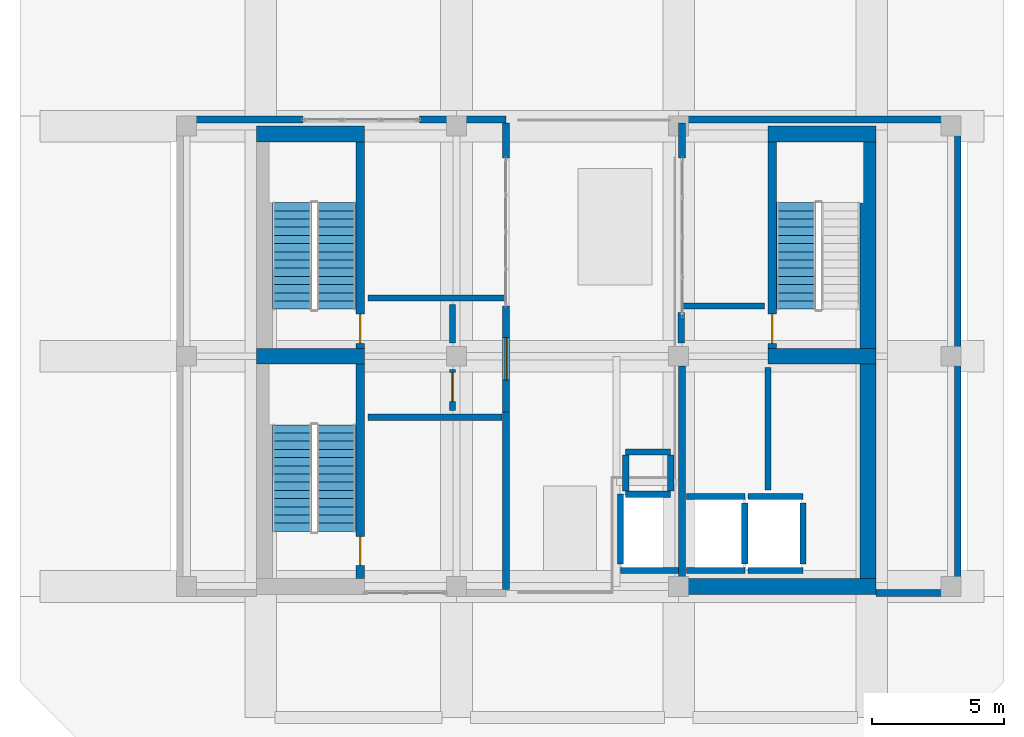
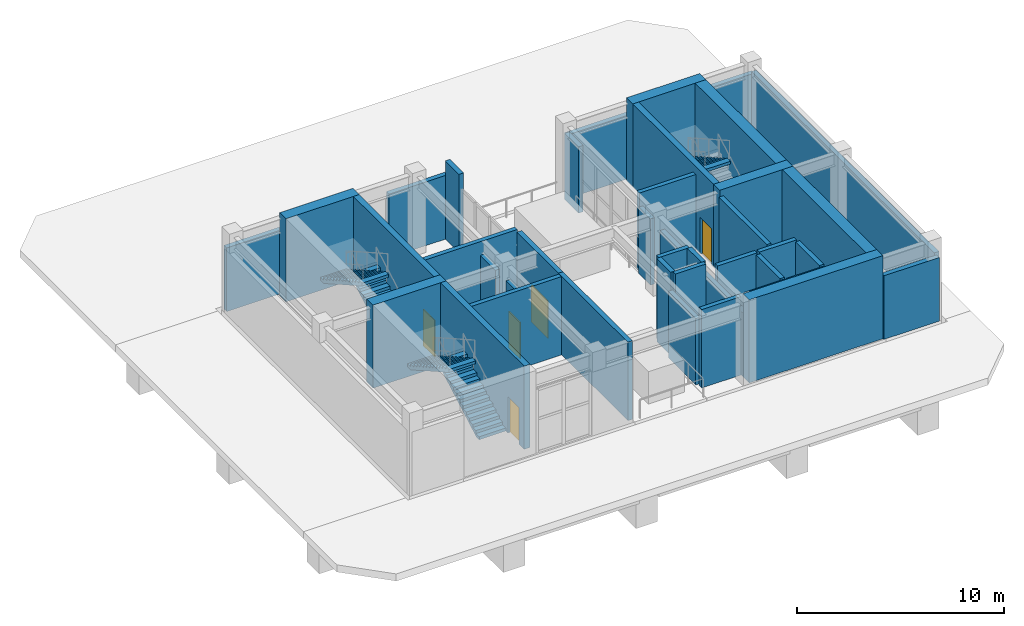
# One storey, part 13 of 16: 38 walls, 5 doors, 5 stair flights, 5 openings, 3 elements without a shape of their own.
"""IFC4 building model written with IfcOpenShell, lengths in metres."""

from ifc_helpers import new_model, si_unit, direction, frame, frame_2d, origin, place, context, subcontext, project, spatial, polyline, rectangle, outline, extrude, material, layer, layer_set, type_object, element, fill, aggregate, save


model = new_model("IFC4")

# Units and contexts
model_context = context("Model", 3, precision=1e-05, world=origin(), true_north=direction((0.0, 1.0)))
body_context = subcontext(model_context, "Body", "Model", "MODEL_VIEW")
ifc_project = project(units=[si_unit("LENGTHUNIT", "METRE"), si_unit("AREAUNIT", "SQUARE_METRE"), si_unit("VOLUMEUNIT", "CUBIC_METRE"), si_unit("PLANEANGLEUNIT", "RADIAN"), si_unit("MASSUNIT", "GRAM", prefix="KILO")], contexts=[model_context])

# Site, building, storey
site_placement = place(None, origin())
site = spatial("IfcSite", under=ifc_project, at=site_placement, CompositionType="ELEMENT")
building_placement = place(site_placement, origin())
building = spatial("IfcBuilding", under=site, at=building_placement, Name="Solanera Arch Residences", CompositionType="ELEMENT")
storey_placement = place(building_placement, frame((0.0, 0.0, 278.080078125)))
storey = spatial("IfcBuildingStorey", under=building, at=storey_placement, Name="L80", CompositionType="ELEMENT", Elevation=278.080078125)

# Wall, opening, door
ifc_material_1 = material(Name="Concrete C40/50 (f'c = 45 MPa)", Category="concrete")
ifc_layer_1 = layer(ifc_material_1, 0.320068359375)
ifc_layer_set_1 = layer_set([ifc_layer_1], Name="Concrete C40/50 (f'c = 45 MPa)")
wall_type_1 = type_object("IfcWallType", Name="Core Shear Wall CW-320", PredefinedType="SHEAR", material=ifc_layer_set_1)
wall_1_placement = place(storey_placement, frame((17.159912109375, 31.0, 0.0), z_axis=(0.0, 0.0, 1.0), x_axis=(0.0, 1.0, 0.0)))
wall_1 = element("IfcWall", 1, at=wall_1_placement, inside=storey, type_object=wall_type_1, Name="L80 Stair ST-T1 East Shear Wall", PredefinedType="SHEAR", context=body_context, shape_type="SweptSolid", body=[
    extrude(rectangle(XDim=7.800048828125, YDim=0.320068359375, at=frame_2d((3.89990234375, 0.0))), origin(), (0.0, 0.0, 1.0), 4.89990234375),
])
opening_1_placement = place(wall_1_placement, frame((0.18994140625, 0.0, 0.0)))
opening_1 = element("IfcOpeningElement", 2, at=opening_1_placement, cuts=wall_1, Name="Opening DF-01", PredefinedType="OPENING", context=body_context, shape_type="SweptSolid", body=[
    extrude(rectangle(XDim=1.10009765625, YDim=2.14990234375, at=frame_2d((0.550048828125, 1.074951171875))), frame((0.0, 0.169921875, 0.0), z_axis=(0.0, -1.0, 0.0), x_axis=(1.0, 0.0, 0.0)), (0.0, 0.0, 1.0), 0.3401),
])
ifc_material_2 = material(Name="Fire-Rated Architectural Hardwood", Category="wood")
door_type_1 = type_object("IfcDoorType", Name="Stair Exit Fire Door DF-01", OperationType="NOTDEFINED", PredefinedType="DOOR", material=ifc_material_2)
door_1_placement = place(opening_1_placement, origin())
door_1 = element("IfcDoor", 3, at=door_1_placement, inside=storey, type_object=door_type_1, Name="DR-L80-STAIR-ST-T1", OperationType="SINGLE_SWING_LEFT", OverallHeight=2.14990234375, OverallWidth=1.10009765625, PredefinedType="DOOR", context=body_context, shape_type="SweptSolid", body=[
    extrude(rectangle(XDim=1.10009765625, YDim=2.14990234375, at=frame_2d((0.550048828125, 1.074951171875))), frame((0.0, 0.02490234375, 0.0), z_axis=(0.0, -1.0, 0.0), x_axis=(1.0, 0.0, 0.0)), (0.0, 0.0, 1.0), 0.050048828125),
])
fill(opening_1, door_1)

wall_2_placement = place(storey_placement, frame((17.159912109375, 22.300048828125, 0.0), z_axis=(0.0, 0.0, 1.0), x_axis=(0.0, 1.0, 0.0)))
wall_2 = element("IfcWall", 4, at=wall_2_placement, inside=storey, type_object=wall_type_1, Name="L80 Stair ST-T3 East Shear Wall", PredefinedType="SHEAR", context=body_context, shape_type="SweptSolid", body=[
    extrude(rectangle(XDim=8.099853515625, YDim=0.320068359375, at=frame_2d((4.0498046875, 0.0))), origin(), (0.0, 0.0, 1.0), 4.89990234375),
])
opening_2_placement = place(wall_2_placement, frame((0.489990234375, 0.0, 0.0)))
opening_2 = element("IfcOpeningElement", 5, at=opening_2_placement, cuts=wall_2, Name="Opening DF-01", PredefinedType="OPENING", context=body_context, shape_type="SweptSolid", body=[
    extrude(rectangle(XDim=1.10009765625, YDim=2.14990234375, at=frame_2d((0.550048828125, 1.074951171875))), frame((0.0, 0.169921875, 0.0), z_axis=(0.0, -1.0, 0.0), x_axis=(1.0, 0.0, 0.0)), (0.0, 0.0, 1.0), 0.3401),
])
door_2_placement = place(opening_2_placement, origin())
door_2 = element("IfcDoor", 6, at=door_2_placement, inside=storey, type_object=door_type_1, Name="DR-L80-STAIR-ST-T3", OperationType="SINGLE_SWING_LEFT", OverallHeight=2.14990234375, OverallWidth=1.10009765625, PredefinedType="DOOR", context=body_context, shape_type="SweptSolid", body=[
    extrude(rectangle(XDim=1.10009765625, YDim=2.14990234375, at=frame_2d((0.550048828125, 1.074951171875))), frame((0.0, 0.02490234375, 0.0), z_axis=(0.0, -1.0, 0.0), x_axis=(1.0, 0.0, 0.0)), (0.0, 0.0, 1.0), 0.050048828125),
])
fill(opening_2, door_2)

wall_3_placement = place(storey_placement, frame((32.739990234375, 31.0, 0.0), z_axis=(0.0, 0.0, 1.0), x_axis=(0.0, 1.0, 0.0)))
wall_3 = element("IfcWall", 7, at=wall_3_placement, inside=storey, type_object=wall_type_1, Name="L80 Stair ST-T2 West Shear Wall", PredefinedType="SHEAR", context=body_context, shape_type="SweptSolid", body=[
    extrude(rectangle(XDim=7.800048828125, YDim=0.320068359375, at=frame_2d((3.89990234375, 0.0))), origin(), (0.0, 0.0, 1.0), 4.89990234375),
])
opening_3_placement = place(wall_3_placement, frame((0.18994140625, 0.0, 0.0)))
opening_3 = element("IfcOpeningElement", 8, at=opening_3_placement, cuts=wall_3, Name="Opening DF-01", PredefinedType="OPENING", context=body_context, shape_type="SweptSolid", body=[
    extrude(rectangle(XDim=1.10009765625, YDim=2.14990234375, at=frame_2d((0.550048828125, 1.074951171875))), frame((0.0, 0.169921875, 0.0), z_axis=(0.0, -1.0, 0.0), x_axis=(1.0, 0.0, 0.0)), (0.0, 0.0, 1.0), 0.3401),
])
door_3_placement = place(opening_3_placement, origin())
door_3 = element("IfcDoor", 9, at=door_3_placement, inside=storey, type_object=door_type_1, Name="DR-L80-STAIR-ST-T2", OperationType="SINGLE_SWING_RIGHT", OverallHeight=2.14990234375, OverallWidth=1.10009765625, PredefinedType="DOOR", context=body_context, shape_type="SweptSolid", body=[
    extrude(rectangle(XDim=1.10009765625, YDim=2.14990234375, at=frame_2d((0.550048828125, 1.074951171875))), frame((0.0, 0.02490234375, 0.0), z_axis=(0.0, -1.0, 0.0), x_axis=(1.0, 0.0, 0.0)), (0.0, 0.0, 1.0), 0.050048828125),
])
fill(opening_3, door_3)

# Walls
ifc_material_3 = material(Name="Concrete C40/50 (f'c = 45 MPa)", Category="concrete")
ifc_layer_2 = layer(ifc_material_3, 0.60009765625)
ifc_layer_set_2 = layer_set([ifc_layer_2], Name="Concrete C40/50 (f'c = 45 MPa)")
wall_type_2 = type_object("IfcWallType", Name="Core Shear Wall CW-600", PredefinedType="SHEAR", material=ifc_layer_set_2)
for number, where, z_axis, x_axis, name in (
    (10, (13.239990234375, 39.10009765625, 0.0), (0.0, 0.0, 1.0), (1.0, 0.0, 0.0), "L80 North-West Core Shear Wall"),
    (11, (13.239990234375, 30.699951171875, 0.0), (0.0, 0.0, 1.0), (1.0, 0.0, 0.0), "L80 West Stair Divider Shear Wall"),
):
    element("IfcWall", number, at=place(storey_placement, frame(where, z_axis=z_axis, x_axis=x_axis)), inside=storey, type_object=wall_type_2, Name=name, PredefinedType="SHEAR", context=body_context, shape_type="SweptSolid", body=[
        extrude(rectangle(XDim=4.080078125, YDim=0.60009765625, at=frame_2d((2.0400390625, 0.0))), origin(), (0.0, 0.0, 1.0), 4.89990234375),
    ])
wall_4_placement = place(storey_placement, frame((36.360107421875, 22.0, 0.0), z_axis=(0.0, 0.0, 1.0), x_axis=(0.0, 1.0, 0.0)))
element("IfcWall", 12, at=wall_4_placement, inside=storey, type_object=wall_type_2, Name="L80 East Core Shear Wall", PredefinedType="SHEAR", context=body_context, shape_type="SweptSolid", body=[
    extrude(rectangle(XDim=17.39990234375, YDim=0.60009765625, at=frame_2d((8.699951171875, 0.0))), origin(), (0.0, 0.0, 1.0), 4.89990234375),
])
wall_5_placement = place(storey_placement, frame((29.199951171875, 22.0, 0.0), z_axis=(0.0, 0.0, 1.0), x_axis=(1.0, 0.0, 0.0)))
element("IfcWall", 13, at=wall_5_placement, inside=storey, type_object=wall_type_2, Name="L80 South-East Core Shear Wall", PredefinedType="SHEAR", context=body_context, shape_type="SweptSolid", body=[
    extrude(rectangle(XDim=7.4599609375, YDim=0.60009765625, at=frame_2d((3.72998046875, 0.0))), origin(), (0.0, 0.0, 1.0), 4.89990234375),
])
for number, where, z_axis, x_axis, name in (
    (14, (32.580078125, 39.10009765625, 0.0), (0.0, 0.0, 1.0), (1.0, 0.0, 0.0), "L80 North-East Core Shear Wall"),
    (15, (32.580078125, 30.699951171875, 0.0), (0.0, 0.0, 1.0), (1.0, 0.0, 0.0), "L80 East Stair Far-Landing Shear Wall"),
):
    element("IfcWall", number, at=place(storey_placement, frame(where, z_axis=z_axis, x_axis=x_axis)), inside=storey, type_object=wall_type_2, Name=name, PredefinedType="SHEAR", context=body_context, shape_type="SweptSolid", body=[
        extrude(rectangle(XDim=4.079833984375, YDim=0.60009765625, at=frame_2d((2.0400390625, 0.0))), origin(), (0.0, 0.0, 1.0), 4.89990234375),
    ])
ifc_material_4 = material(Name="Precast Concrete C35/45", Category="concrete")
ifc_layer_3 = layer(ifc_material_4, 0.260009765625)
ifc_layer_set_3 = layer_set([ifc_layer_3], Name="Precast Concrete C35/45")
wall_type_3 = type_object("IfcWallType", Name="Exterior Wall Precast Masonry-Frame 260", PredefinedType="STANDARD", material=ifc_layer_set_3)
wall_6_placement = place(storey_placement, frame((10.35009765625, 39.64990234375, 0.0), z_axis=(0.0, 0.0, 1.0), x_axis=(1.0, 0.0, 0.0)))
element("IfcWall", 16, at=wall_6_placement, inside=storey, type_object=wall_type_3, Name="L80 W Crown North Pier 1", PredefinedType="STANDARD", context=body_context, shape_type="SweptSolid", body=[
    extrude(rectangle(XDim=4.64990234375, YDim=0.260009765625, at=frame_2d((2.324951171875, 0.0))), origin(), (0.0, 0.0, 1.0), 3.75390625),
])
wall_7_placement = place(storey_placement, frame((19.39990234375, 39.64990234375, 0.0), z_axis=(0.0, 0.0, 1.0), x_axis=(1.0, 0.0, 0.0)))
element("IfcWall", 17, at=wall_7_placement, inside=storey, type_object=wall_type_3, Name="L80 W Crown North Pier 2", PredefinedType="STANDARD", context=body_context, shape_type="SweptSolid", body=[
    extrude(rectangle(XDim=3.27001953125, YDim=0.260009765625, at=frame_2d((1.635009765625, 0.0))), origin(), (0.0, 0.0, 1.0), 3.75390625),
])
wall_8_placement = place(storey_placement, frame((22.669921875, 21.8798828125, 0.0), z_axis=(0.0, 0.0, 1.0), x_axis=(0.0, 1.0, 0.0)))
element("IfcWall", 18, at=wall_8_placement, inside=storey, type_object=wall_type_3, Name="L80 W Cleft Cheek South Wall", PredefinedType="STANDARD", context=body_context, shape_type="SweptSolid", body=[
    extrude(rectangle(XDim=6.72021484375, YDim=0.260009765625, at=frame_2d((3.360107421875, 0.0))), origin(), (0.0, 0.0, 1.0), 4.619873046875),
])

# Wall, opening, door
wall_9_placement = place(storey_placement, frame((22.669921875, 32.60009765625, 0.0), z_axis=(0.0, 0.0, 1.0), x_axis=(0.0, -1.0, 0.0)))
wall_9 = element("IfcWall", 19, at=wall_9_placement, inside=storey, type_object=wall_type_3, Name="L80 W Cleft Portal Wall", PredefinedType="STANDARD", context=body_context, shape_type="SweptSolid", body=[
    extrude(rectangle(XDim=4.0, YDim=0.260009765625, at=frame_2d((2.0, 0.0))), origin(), (0.0, 0.0, 1.0), 4.619873046875),
])
opening_4_placement = place(wall_9_placement, frame((1.199951171875, 0.0, 0.0)))
opening_4 = element("IfcOpeningElement", 20, at=opening_4_placement, cuts=wall_9, Name="Opening DB-04", PredefinedType="OPENING", context=body_context, shape_type="SweptSolid", body=[
    extrude(rectangle(XDim=1.60009765625, YDim=2.199951171875, at=frame_2d((0.800048828125, 1.10009765625))), frame((0.0, 0.139892578125, 0.0), z_axis=(0.0, -1.0, 0.0), x_axis=(1.0, 0.0, 0.0)), (0.0, 0.0, 1.0), 0.28),
])
ifc_material_5 = material(Name="Anodised Aluminium Alloy 6063-T6", Category="aluminium")
door_type_2 = type_object("IfcDoorType", Name="Crown Cleft Lookout Door DB-04", OperationType="NOTDEFINED", PredefinedType="DOOR", material=ifc_material_5)
door_4_placement = place(opening_4_placement, origin())
door_4 = element("IfcDoor", 21, at=door_4_placement, inside=storey, type_object=door_type_2, Name="DR-L80-CLEFT-W", OperationType="DOUBLE_DOOR_SINGLE_SWING", OverallHeight=2.199951171875, OverallWidth=1.60009765625, PredefinedType="DOOR", context=body_context, shape_type="SweptSolid", body=[
    extrude(rectangle(XDim=1.60009765625, YDim=2.199951171875, at=frame_2d((0.800048828125, 1.10009765625))), frame((0.0, 0.02490234375, 0.0), z_axis=(0.0, -1.0, 0.0), x_axis=(1.0, 0.0, 0.0)), (0.0, 0.0, 1.0), 0.050048828125),
])
fill(opening_4, door_4)

# Walls
wall_10_placement = place(storey_placement, frame((22.669921875, 38.199951171875, 0.0), z_axis=(0.0, 0.0, 1.0), x_axis=(0.0, 1.0, 0.0)))
element("IfcWall", 22, at=wall_10_placement, inside=storey, type_object=wall_type_3, Name="L80 W Cleft Cheek North Wall", PredefinedType="STANDARD", context=body_context, shape_type="SweptSolid", body=[
    extrude(rectangle(XDim=1.320068359375, YDim=0.260009765625, at=frame_2d((0.66015625, 0.0))), origin(), (0.0, 0.0, 1.0), 4.619873046875),
])
wall_11_placement = place(storey_placement, frame((39.75, 21.75, 0.0), z_axis=(0.0, 0.0, 1.0), x_axis=(-1.0, 0.0, 0.0)))
element("IfcWall", 23, at=wall_11_placement, inside=storey, type_object=wall_type_3, Name="L80 E Crown Peak South Precast Wall", PredefinedType="STANDARD", context=body_context, shape_type="SweptSolid", body=[
    extrude(rectangle(XDim=3.090087890625, YDim=0.260009765625, at=frame_2d((1.544921875, 0.0))), origin(), (0.0, 0.0, 1.0), 3.75390625),
])
wall_12_placement = place(storey_placement, frame((29.330078125, 39.64990234375, 0.0), z_axis=(0.0, 0.0, 1.0), x_axis=(1.0, 0.0, 0.0)))
element("IfcWall", 24, at=wall_12_placement, inside=storey, type_object=wall_type_3, Name="L80 E Crown Peak North Precast Wall", PredefinedType="STANDARD", context=body_context, shape_type="SweptSolid", body=[
    extrude(rectangle(XDim=10.419921875, YDim=0.260009765625, at=frame_2d((5.2099609375, 0.0))), origin(), (0.0, 0.0, 1.0), 3.75390625),
])
wall_13_placement = place(storey_placement, frame((39.75, 39.52001953125, 0.0), z_axis=(0.0, 0.0, 1.0), x_axis=(0.0, -1.0, 0.0)))
element("IfcWall", 25, at=wall_13_placement, inside=storey, type_object=wall_type_3, Name="L80 E Crown Peak Outer Precast Wall", PredefinedType="STANDARD", context=body_context, shape_type="SweptSolid", body=[
    extrude(rectangle(XDim=17.64013671875, YDim=0.260009765625, at=frame_2d((8.820068359375, 0.0))), origin(), (0.0, 0.0, 1.0), 3.911865234375),
])
wall_14_placement = place(storey_placement, frame((29.330078125, 22.300048828125, 0.0), z_axis=(0.0, 0.0, 1.0), x_axis=(0.0, 1.0, 0.0)))
element("IfcWall", 26, at=wall_14_placement, inside=storey, type_object=wall_type_3, Name="L80 E Cleft Cheek South Wall", PredefinedType="STANDARD", context=body_context, shape_type="SweptSolid", body=[
    extrude(rectangle(XDim=8.02490234375, YDim=0.260009765625, at=frame_2d((4.012451171875, 0.0))), origin(), (0.0, 0.0, 1.0), 3.75390625),
])
wall_15_placement = place(storey_placement, frame((29.330078125, 38.199951171875, 0.0), z_axis=(0.0, 0.0, 1.0), x_axis=(0.0, 1.0, 0.0)))
element("IfcWall", 27, at=wall_15_placement, inside=storey, type_object=wall_type_3, Name="L80 E Cleft Cheek North Wall", PredefinedType="STANDARD", context=body_context, shape_type="SweptSolid", body=[
    extrude(rectangle(XDim=1.320068359375, YDim=0.260009765625, at=frame_2d((0.66015625, 0.0))), origin(), (0.0, 0.0, 1.0), 3.911865234375),
])
ifc_material_6 = material(Name="Concrete C40/50 (f'c = 45 MPa)", Category="concrete")
ifc_layer_4 = layer(ifc_material_6, 0.239990234375)
ifc_layer_set_4 = layer_set([ifc_layer_4], Name="Concrete C40/50 (f'c = 45 MPa)")
wall_type_4 = type_object("IfcWallType", Name="Ramp Bearing Shear Wall RW-240", PredefinedType="SHEAR", material=ifc_layer_set_4)
for number, where, z_axis, x_axis, name in (
    (28, (27.199951171875, 25.47998046875, 0.0), (0.0, 0.0, 1.0), (1.0, 0.0, 0.0), "L80 Core MEP Riser South Shaft Wall"),
    (29, (27.199951171875, 27.080078125, 0.0), (0.0, 0.0, 1.0), (1.0, 0.0, 0.0), "L80 Core MEP Riser North Shaft Wall"),
):
    element("IfcWall", number, at=place(storey_placement, frame(where, z_axis=z_axis, x_axis=x_axis)), inside=storey, type_object=wall_type_4, Name=name, PredefinedType="SHEAR", context=body_context, shape_type="SweptSolid", body=[
        extrude(rectangle(XDim=1.699951171875, YDim=0.239990234375, at=frame_2d((0.85009765625, 0.0))), origin(), (0.0, 0.0, 1.0), 4.89990234375),
    ])
for number, where, z_axis, x_axis, name in (
    (30, (27.199951171875, 25.60009765625, 0.0), (0.0, 0.0, 1.0), (0.0, 1.0, 0.0), "L80 Core MEP Riser West Shaft Wall"),
    (31, (28.89990234375, 25.60009765625, 0.0), (0.0, 0.0, 1.0), (0.0, 1.0, 0.0), "L80 Core MEP Riser East Shaft Wall"),
):
    element("IfcWall", number, at=place(storey_placement, frame(where, z_axis=z_axis, x_axis=x_axis)), inside=storey, type_object=wall_type_4, Name=name, PredefinedType="SHEAR", context=body_context, shape_type="SweptSolid", body=[
        extrude(rectangle(XDim=1.35986328125, YDim=0.239990234375, at=frame_2d((0.679931640625, 0.0))), origin(), (0.0, 0.0, 1.0), 4.89990234375),
    ])
ifc_material_7 = material(Name="Autoclaved Aerated Concrete Blockwork", Category="masonry")
ifc_layer_5 = layer(ifc_material_7, 0.239990234375)
ifc_layer_set_5 = layer_set([ifc_layer_5], Name="Autoclaved Aerated Concrete Blockwork")
wall_type_5 = type_object("IfcWallType", Name="Shaft Wall Fire-Rated 240", PredefinedType="PARTITIONING", material=ifc_layer_set_5)
for number, where, z_axis, x_axis, name in (
    (32, (29.5, 22.60009765625, 0.0), (0.0, 0.0, 1.0), (1.0, 0.0, 0.0), "L80 Lift FFL-1 Hoistway Wall S"),
    (33, (29.5, 25.39990234375, 0.0), (0.0, 0.0, 1.0), (1.0, 0.0, 0.0), "L80 Lift FFL-1 Hoistway Wall N"),
):
    element("IfcWall", number, at=place(storey_placement, frame(where, z_axis=z_axis, x_axis=x_axis)), inside=storey, type_object=wall_type_5, Name=name, PredefinedType="PARTITIONING", context=body_context, shape_type="SweptSolid", body=[
        extrude(rectangle(XDim=2.199951171875, YDim=0.239990234375, at=frame_2d((1.10009765625, 0.0))), origin(), (0.0, 0.0, 1.0), 4.619873046875),
    ])
wall_16_placement = place(storey_placement, frame((31.699951171875, 22.847900390625, 0.0), z_axis=(0.0, 0.0, 1.0), x_axis=(0.0, 1.0, 0.0)))
element("IfcWall", 34, at=wall_16_placement, inside=storey, type_object=wall_type_5, Name="L80 Lift FFL-1 Hoistway Wall E", PredefinedType="PARTITIONING", context=body_context, shape_type="SweptSolid", body=[
    extrude(rectangle(XDim=2.30419921875, YDim=0.239990234375, at=frame_2d((1.152099609375, 0.0))), origin(), (0.0, 0.0, 1.0), 4.619873046875),
])
for number, where, z_axis, x_axis, name in (
    (35, (31.827880859375, 22.60009765625, 0.0), (0.0, 0.0, 1.0), (1.0, 0.0, 0.0), "L80 Lift FFL-2 Hoistway Wall S"),
    (36, (31.827880859375, 25.39990234375, 0.0), (0.0, 0.0, 1.0), (1.0, 0.0, 0.0), "L80 Lift FFL-2 Hoistway Wall N"),
):
    element("IfcWall", number, at=place(storey_placement, frame(where, z_axis=z_axis, x_axis=x_axis)), inside=storey, type_object=wall_type_5, Name=name, PredefinedType="PARTITIONING", context=body_context, shape_type="SweptSolid", body=[
        extrude(rectangle(XDim=2.072021484375, YDim=0.239990234375, at=frame_2d((1.0361328125, 0.0))), origin(), (0.0, 0.0, 1.0), 4.619873046875),
    ])
wall_17_placement = place(storey_placement, frame((33.89990234375, 22.847900390625, 0.0), z_axis=(0.0, 0.0, 1.0), x_axis=(0.0, 1.0, 0.0)))
element("IfcWall", 37, at=wall_17_placement, inside=storey, type_object=wall_type_5, Name="L80 Lift FFL-2 Hoistway Wall E", PredefinedType="PARTITIONING", context=body_context, shape_type="SweptSolid", body=[
    extrude(rectangle(XDim=2.30419921875, YDim=0.239990234375, at=frame_2d((1.152099609375, 0.0))), origin(), (0.0, 0.0, 1.0), 4.619873046875),
])
wall_18_placement = place(storey_placement, frame((27.0, 22.60009765625, 0.0), z_axis=(0.0, 0.0, 1.0), x_axis=(1.0, 0.0, 0.0)))
element("IfcWall", 38, at=wall_18_placement, inside=storey, type_object=wall_type_5, Name="L80 Lift SVL-1 Hoistway Wall S", PredefinedType="PARTITIONING", context=body_context, shape_type="SweptSolid", body=[
    extrude(rectangle(XDim=2.18798828125, YDim=0.239990234375, at=frame_2d((1.093994140625, 0.0))), origin(), (0.0, 0.0, 1.0), 4.619873046875),
])
wall_19_placement = place(storey_placement, frame((27.0, 22.847900390625, 0.0), z_axis=(0.0, 0.0, 1.0), x_axis=(0.0, 1.0, 0.0)))
element("IfcWall", 39, at=wall_19_placement, inside=storey, type_object=wall_type_5, Name="L80 Lift SVL-1 Hoistway Wall W", PredefinedType="PARTITIONING", context=body_context, shape_type="SweptSolid", body=[
    extrude(rectangle(XDim=2.650146484375, YDim=0.239990234375, at=frame_2d((1.3251953125, 0.0))), origin(), (0.0, 0.0, 1.0), 3.911865234375),
])
wall_20_placement = place(storey_placement, frame((17.449951171875, 28.39990234375, 0.0), z_axis=(0.0, 0.0, 1.0), x_axis=(1.0, 0.0, 0.0)))
element("IfcWall", 40, at=wall_20_placement, inside=storey, type_object=wall_type_5, Name="L80 Interior Partition H2", PredefinedType="PARTITIONING", context=body_context, shape_type="SweptSolid", body=[
    extrude(rectangle(XDim=5.078125, YDim=0.239990234375, at=frame_2d((2.5390625, 0.0))), origin(), (0.0, 0.0, 1.0), 4.619873046875),
])
wall_21_placement = place(storey_placement, frame((29.300048828125, 32.60009765625, 0.0), z_axis=(0.0, 0.0, 1.0), x_axis=(1.0, 0.0, 0.0)))
element("IfcWall", 41, at=wall_21_placement, inside=storey, type_object=wall_type_5, Name="L80 Interior Partition H3", PredefinedType="PARTITIONING", context=body_context, shape_type="SweptSolid", body=[
    extrude(rectangle(XDim=3.14990234375, YDim=0.239990234375, at=frame_2d((1.574951171875, 0.0))), origin(), (0.0, 0.0, 1.0), 4.619873046875),
])
wall_22_placement = place(storey_placement, frame((17.449951171875, 32.89990234375, 0.0), z_axis=(0.0, 0.0, 1.0), x_axis=(1.0, 0.0, 0.0)))
element("IfcWall", 42, at=wall_22_placement, inside=storey, type_object=wall_type_5, Name="L80 Interior Partition H4", PredefinedType="PARTITIONING", context=body_context, shape_type="SweptSolid", body=[
    extrude(rectangle(XDim=5.219970703125, YDim=0.239990234375, at=frame_2d((2.60986328125, 0.0))), origin(), (0.0, 0.0, 1.0), 4.619873046875),
])

# Wall, opening, door
wall_23_placement = place(storey_placement, frame((20.64990234375, 28.64794921875, 0.0), z_axis=(0.0, 0.0, 1.0), x_axis=(0.0, 1.0, 0.0)))
wall_23 = element("IfcWall", 43, at=wall_23_placement, inside=storey, type_object=wall_type_5, Name="L80 Interior Partition V2 1", PredefinedType="PARTITIONING", context=body_context, shape_type="SweptSolid", body=[
    extrude(rectangle(XDim=1.545166015625, YDim=0.239990234375, at=frame_2d((0.7724609375, 0.0))), origin(), (0.0, 0.0, 1.0), 3.911865234375),
])
opening_5_placement = place(wall_23_placement, frame((0.3349609375, 0.0, 0.0)))
opening_5 = element("IfcOpeningElement", 44, at=opening_5_placement, cuts=wall_23, Name="Opening DF-02", PredefinedType="OPENING", context=body_context, shape_type="SweptSolid", body=[
    extrude(rectangle(XDim=1.10009765625, YDim=2.14990234375, at=frame_2d((0.550048828125, 1.074951171875))), frame((0.0, 0.1298828125, 0.0), z_axis=(0.0, -1.0, 0.0), x_axis=(1.0, 0.0, 0.0)), (0.0, 0.0, 1.0), 0.26),
])
ifc_material_8 = material(Name="Fire-Rated Architectural Hardwood", Category="wood")
door_type_3 = type_object("IfcDoorType", Name="Firefighting Lobby Fire Door DF-02", OperationType="NOTDEFINED", PredefinedType="DOOR", material=ifc_material_8)
door_5_placement = place(opening_5_placement, origin())
door_5 = element("IfcDoor", 45, at=door_5_placement, inside=storey, type_object=door_type_3, Name="DR-L80-IN-004", OperationType="SINGLE_SWING_RIGHT", OverallHeight=2.14990234375, OverallWidth=1.10009765625, PredefinedType="DOOR", context=body_context, shape_type="SweptSolid", body=[
    extrude(rectangle(XDim=1.10009765625, YDim=2.14990234375, at=frame_2d((0.550048828125, 1.074951171875))), frame((0.0, 0.02490234375, 0.0), z_axis=(0.0, -1.0, 0.0), x_axis=(1.0, 0.0, 0.0)), (0.0, 0.0, 1.0), 0.050048828125),
])
fill(opening_5, door_5)

# Walls
wall_24_placement = place(storey_placement, frame((20.64990234375, 31.20703125, 0.0), z_axis=(0.0, 0.0, 1.0), x_axis=(0.0, 1.0, 0.0)))
element("IfcWall", 46, at=wall_24_placement, inside=storey, type_object=wall_type_5, Name="L80 Interior Partition V2 2", PredefinedType="PARTITIONING", context=body_context, shape_type="SweptSolid", body=[
    extrude(rectangle(XDim=1.445068359375, YDim=0.239990234375, at=frame_2d((0.72265625, 0.0))), origin(), (0.0, 0.0, 1.0), 3.911865234375),
])
wall_25_placement = place(storey_placement, frame((29.300048828125, 31.20703125, 0.0), z_axis=(0.0, 0.0, 1.0), x_axis=(0.0, 1.0, 0.0)))
element("IfcWall", 47, at=wall_25_placement, inside=storey, type_object=wall_type_5, Name="L80 Interior Partition V3", PredefinedType="PARTITIONING", context=body_context, shape_type="SweptSolid", body=[
    extrude(rectangle(XDim=1.14501953125, YDim=0.239990234375, at=frame_2d((0.572509765625, 0.0))), origin(), (0.0, 0.0, 1.0), 3.911865234375),
])
wall_26_placement = place(storey_placement, frame((32.580078125, 25.64794921875, 0.0), z_axis=(0.0, 0.0, 1.0), x_axis=(0.0, 1.0, 0.0)))
element("IfcWall", 48, at=wall_26_placement, inside=storey, type_object=wall_type_5, Name="L80 Interior Partition V4", PredefinedType="PARTITIONING", context=body_context, shape_type="SweptSolid", body=[
    extrude(rectangle(XDim=4.6220703125, YDim=0.239990234375, at=frame_2d((2.31103515625, 0.0))), origin(), (0.0, 0.0, 1.0), 4.619873046875),
])

# Stair, stair flights
ifc_material_9 = material(Name="Concrete C40/50 (f'c = 45 MPa)", Category="concrete")
stair_type = type_object("IfcStairType", Name="Tower Dogleg Exit Stair 1480", PredefinedType="HALF_TURN_STAIR", material=ifc_material_9)
stair_1_placement = place(storey_placement, origin())
stair_1 = element("IfcStair", 49, at=stair_1_placement, inside=storey, type_object=stair_type, Name="L80 Tower Core Exit Stair 1", PredefinedType="HALF_TURN_STAIR")
ifc_material_10 = material(Name="Concrete C40/50 (f'c = 45 MPa)", Category="concrete")
stair_flight_type = type_object("IfcStairFlightType", Name="Tower Precast Stair Flight 1480", PredefinedType="STRAIGHT", material=ifc_material_10)
stair_flight_1_placement = place(storey_placement, frame((16.260009765625, 32.47998046875, 0.0), z_axis=(0.0, 0.0, 1.0), x_axis=(0.0, 1.0, 0.0)))
stair_flight_1 = element("IfcStairFlight", 50, at=stair_flight_1_placement, type_object=stair_flight_type, Name="ST-T1 flight 1", NumberOfRisers=14, NumberOfTreads=13, PredefinedType="STRAIGHT", RiserHeight=0.175, TreadLength=0.31, context=body_context, shape_type="SweptSolid", body=[
    extrude(outline(polyline([(0.0, 0.0), (0.0, 0.175048828125), (0.31005859375, 0.175048828125), (0.31005859375, 0.35009765625), (0.6201171875, 0.35009765625), (0.6201171875, 0.52490234375), (0.929931640625, 0.52490234375), (0.929931640625, 0.699951171875), (1.239990234375, 0.699951171875), (1.239990234375, 0.875), (1.550048828125, 0.875), (1.550048828125, 1.050048828125), (1.860107421875, 1.050048828125), (1.860107421875, 1.22509765625), (2.169921875, 1.22509765625), (2.169921875, 1.39990234375), (2.47998046875, 1.39990234375), (2.47998046875, 1.574951171875), (2.7900390625, 1.574951171875), (2.7900390625, 1.75), (3.10009765625, 1.75), (3.10009765625, 1.925048828125), (3.409912109375, 1.925048828125), (3.409912109375, 2.10009765625), (3.719970703125, 2.10009765625), (3.719970703125, 2.27490234375), (4.030029296875, 2.27490234375), (4.030029296875, 2.449951171875), (4.030029296875, 2.102783203125), (0.304931640625, 0.0), (0.0, 0.0)])), frame((0.0, 0.739990234375, 0.0), z_axis=(0.0, -1.0, 0.0), x_axis=(1.0, 0.0, 0.0)), (0.0, 0.0, 1.0), 1.47998046875),
])
stair_flight_2_placement = place(storey_placement, frame((14.580078125, 36.510009765625, 2.449951171875), z_axis=(0.0, 0.0, 1.0), x_axis=(0.0, -1.0, 0.0)))
stair_flight_2 = element("IfcStairFlight", 51, at=stair_flight_2_placement, type_object=stair_flight_type, Name="ST-T1 flight 2", NumberOfRisers=14, NumberOfTreads=13, PredefinedType="STRAIGHT", RiserHeight=0.175, TreadLength=0.31, context=body_context, shape_type="SweptSolid", body=[
    extrude(outline(polyline([(0.0, 0.0), (0.0, 0.175048828125), (0.31005859375, 0.175048828125), (0.31005859375, 0.35009765625), (0.6201171875, 0.35009765625), (0.6201171875, 0.52490234375), (0.929931640625, 0.52490234375), (0.929931640625, 0.699951171875), (1.239990234375, 0.699951171875), (1.239990234375, 0.875), (1.550048828125, 0.875), (1.550048828125, 1.050048828125), (1.860107421875, 1.050048828125), (1.860107421875, 1.22509765625), (2.169921875, 1.22509765625), (2.169921875, 1.39990234375), (2.47998046875, 1.39990234375), (2.47998046875, 1.574951171875), (2.7900390625, 1.574951171875), (2.7900390625, 1.75), (3.10009765625, 1.75), (3.10009765625, 1.925048828125), (3.409912109375, 1.925048828125), (3.409912109375, 2.10009765625), (3.719970703125, 2.10009765625), (3.719970703125, 2.27490234375), (4.030029296875, 2.27490234375), (4.030029296875, 2.449951171875), (4.030029296875, 2.102783203125), (0.304931640625, 0.0), (0.0, 0.0)])), frame((0.0, 0.739990234375, 0.0), z_axis=(0.0, -1.0, 0.0), x_axis=(1.0, 0.0, 0.0)), (0.0, 0.0, 1.0), 1.47998046875),
])
aggregate(stair_1, [stair_flight_1, stair_flight_2])

# Stair, stair flight
stair_2_placement = place(storey_placement, origin())
stair_2 = element("IfcStair", 52, at=stair_2_placement, inside=storey, type_object=stair_type, Name="L80 Tower Core Exit Stair 2", PredefinedType="HALF_TURN_STAIR")
stair_flight_3_placement = place(storey_placement, frame((33.639892578125, 36.510009765625, 2.449951171875), z_axis=(0.0, 0.0, 1.0), x_axis=(0.0, -1.0, 0.0)))
stair_flight_3 = element("IfcStairFlight", 53, at=stair_flight_3_placement, type_object=stair_flight_type, Name="ST-T2 flight 2", NumberOfRisers=14, NumberOfTreads=13, PredefinedType="STRAIGHT", RiserHeight=0.175, TreadLength=0.31, context=body_context, shape_type="SweptSolid", body=[
    extrude(outline(polyline([(0.0, 0.0), (0.0, 0.175048828125), (0.31005859375, 0.175048828125), (0.31005859375, 0.35009765625), (0.6201171875, 0.35009765625), (0.6201171875, 0.52490234375), (0.929931640625, 0.52490234375), (0.929931640625, 0.699951171875), (1.239990234375, 0.699951171875), (1.239990234375, 0.875), (1.550048828125, 0.875), (1.550048828125, 1.050048828125), (1.860107421875, 1.050048828125), (1.860107421875, 1.22509765625), (2.169921875, 1.22509765625), (2.169921875, 1.39990234375), (2.47998046875, 1.39990234375), (2.47998046875, 1.574951171875), (2.7900390625, 1.574951171875), (2.7900390625, 1.75), (3.10009765625, 1.75), (3.10009765625, 1.925048828125), (3.409912109375, 1.925048828125), (3.409912109375, 2.10009765625), (3.719970703125, 2.10009765625), (3.719970703125, 2.27490234375), (4.030029296875, 2.27490234375), (4.030029296875, 2.449951171875), (4.030029296875, 2.102783203125), (0.304931640625, 0.0), (0.0, 0.0)])), frame((0.0, 0.739990234375, 0.0), z_axis=(0.0, -1.0, 0.0), x_axis=(1.0, 0.0, 0.0)), (0.0, 0.0, 1.0), 1.47998046875),
])
aggregate(stair_2, [stair_flight_3])

# Stair, stair flights
stair_3_placement = place(storey_placement, origin())
stair_3 = element("IfcStair", 54, at=stair_3_placement, inside=storey, type_object=stair_type, Name="L80 Tower Core Exit Stair 3", PredefinedType="HALF_TURN_STAIR")
stair_flight_4_placement = place(storey_placement, frame((16.260009765625, 24.080078125, 0.0), z_axis=(0.0, 0.0, 1.0), x_axis=(0.0, 1.0, 0.0)))
stair_flight_4 = element("IfcStairFlight", 55, at=stair_flight_4_placement, type_object=stair_flight_type, Name="ST-T3 flight 1", NumberOfRisers=14, NumberOfTreads=13, PredefinedType="STRAIGHT", RiserHeight=0.175, TreadLength=0.31, context=body_context, shape_type="SweptSolid", body=[
    extrude(outline(polyline([(0.0, 0.0), (0.0, 0.175048828125), (0.31005859375, 0.175048828125), (0.31005859375, 0.35009765625), (0.6201171875, 0.35009765625), (0.6201171875, 0.52490234375), (0.929931640625, 0.52490234375), (0.929931640625, 0.699951171875), (1.239990234375, 0.699951171875), (1.239990234375, 0.875), (1.550048828125, 0.875), (1.550048828125, 1.050048828125), (1.860107421875, 1.050048828125), (1.860107421875, 1.22509765625), (2.169921875, 1.22509765625), (2.169921875, 1.39990234375), (2.47998046875, 1.39990234375), (2.47998046875, 1.574951171875), (2.7900390625, 1.574951171875), (2.7900390625, 1.75), (3.10009765625, 1.75), (3.10009765625, 1.925048828125), (3.409912109375, 1.925048828125), (3.409912109375, 2.10009765625), (3.719970703125, 2.10009765625), (3.719970703125, 2.27490234375), (4.030029296875, 2.27490234375), (4.030029296875, 2.449951171875), (4.030029296875, 2.102783203125), (0.304931640625, 0.0), (0.0, 0.0)])), frame((0.0, 0.739990234375, 0.0), z_axis=(0.0, -1.0, 0.0), x_axis=(1.0, 0.0, 0.0)), (0.0, 0.0, 1.0), 1.47998046875),
])
stair_flight_5_placement = place(storey_placement, frame((14.580078125, 28.110107421875, 2.449951171875), z_axis=(0.0, 0.0, 1.0), x_axis=(0.0, -1.0, 0.0)))
stair_flight_5 = element("IfcStairFlight", 56, at=stair_flight_5_placement, type_object=stair_flight_type, Name="ST-T3 flight 2", NumberOfRisers=14, NumberOfTreads=13, PredefinedType="STRAIGHT", RiserHeight=0.175, TreadLength=0.31, context=body_context, shape_type="SweptSolid", body=[
    extrude(outline(polyline([(0.0, 0.0), (0.0, 0.175048828125), (0.31005859375, 0.175048828125), (0.31005859375, 0.35009765625), (0.6201171875, 0.35009765625), (0.6201171875, 0.52490234375), (0.929931640625, 0.52490234375), (0.929931640625, 0.699951171875), (1.239990234375, 0.699951171875), (1.239990234375, 0.875), (1.550048828125, 0.875), (1.550048828125, 1.050048828125), (1.860107421875, 1.050048828125), (1.860107421875, 1.22509765625), (2.169921875, 1.22509765625), (2.169921875, 1.39990234375), (2.47998046875, 1.39990234375), (2.47998046875, 1.574951171875), (2.7900390625, 1.574951171875), (2.7900390625, 1.75), (3.10009765625, 1.75), (3.10009765625, 1.925048828125), (3.409912109375, 1.925048828125), (3.409912109375, 2.10009765625), (3.719970703125, 2.10009765625), (3.719970703125, 2.27490234375), (4.030029296875, 2.27490234375), (4.030029296875, 2.449951171875), (4.030029296875, 2.102783203125), (0.304931640625, 0.0), (0.0, 0.0)])), frame((0.0, 0.739990234375, 0.0), z_axis=(0.0, -1.0, 0.0), x_axis=(1.0, 0.0, 0.0)), (0.0, 0.0, 1.0), 1.47998046875),
])
aggregate(stair_3, [stair_flight_4, stair_flight_5])

save(model, "model.ifc")
